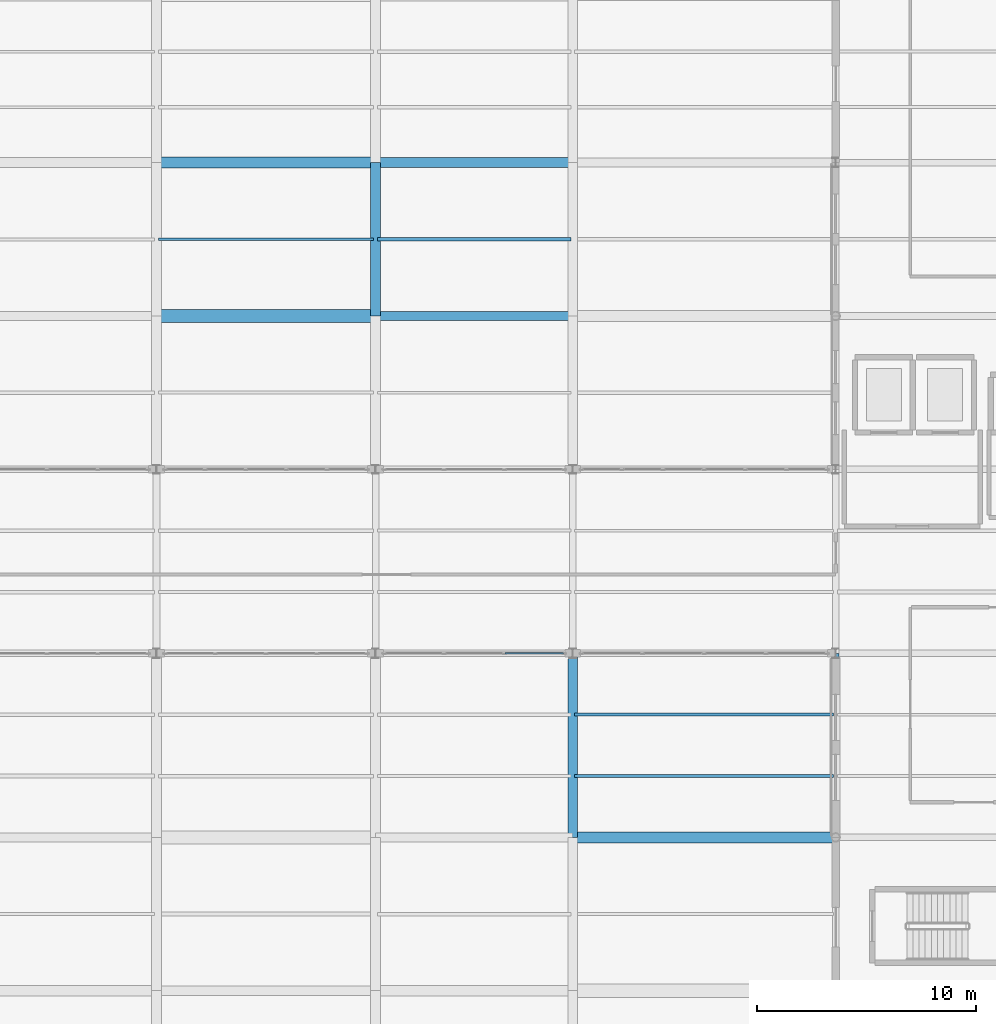
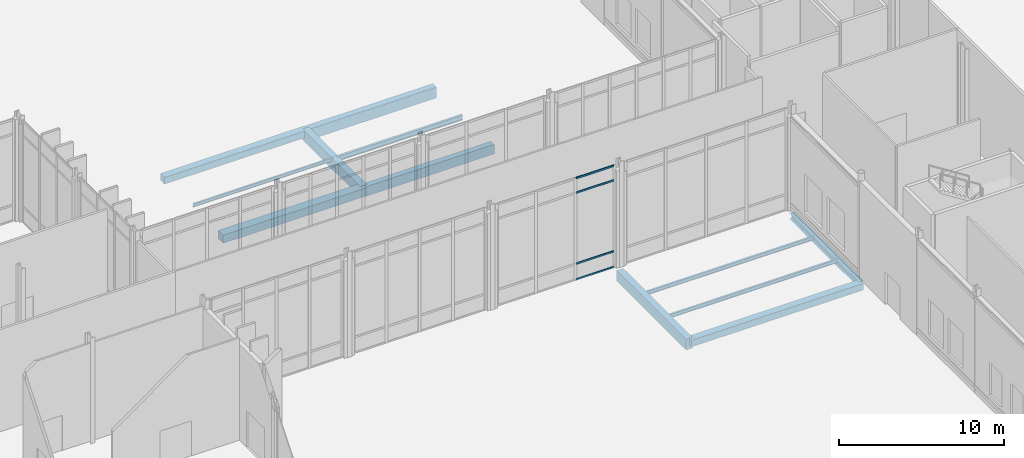
# One storey, part 107 of 176: 12 beams, 4 members, 1 element without a shape of its own.
"""IFC4 building model written with IfcOpenShell, lengths in metres."""

from ifc_helpers import new_model, si_unit, direction, frame, origin, origin_2d, place, context, subcontext, project, spatial, rectangle, hollow_rectangle, i_section, extrude, material, layer, layer_set, material_profile, profile_set, type_object, element, aggregate, save


model = new_model("IFC4")

# Units and contexts
model_context = context("Model", 3, precision=1e-05, world=origin(), true_north=direction((0.0, 1.0)))
body_context = subcontext(model_context, "Body", "Model", "MODEL_VIEW")
ifc_project = project(units=[si_unit("LENGTHUNIT", "METRE"), si_unit("AREAUNIT", "SQUARE_METRE"), si_unit("VOLUMEUNIT", "CUBIC_METRE"), si_unit("PLANEANGLEUNIT", "RADIAN"), si_unit("MASSUNIT", "GRAM", prefix="KILO")], contexts=[model_context])

# Site, building, storey
site_placement = place(None, origin())
site = spatial("IfcSite", under=ifc_project, at=site_placement, CompositionType="ELEMENT")
building_placement = place(site_placement, origin())
building = spatial("IfcBuilding", under=site, at=building_placement, Name="Vekula Escarpment Museum", CompositionType="ELEMENT")
storey_placement = place(building_placement, origin())
storey = spatial("IfcBuildingStorey", under=building, at=storey_placement, Name="L01", CompositionType="ELEMENT", Elevation=0.0)

# Beams
ifc_material_1 = material(Name="Steel S355", Category="steel")
ifc_material_profile_1 = material_profile(ifc_material_1, i_section(OverallWidth=0.1201171875, OverallDepth=0.239990234375, WebThickness=0.006103515625, FlangeThickness=0.009765625, FilletRadius=0.014892578125, at=origin_2d()), Name="IPE 240")
ifc_profile_set_1 = profile_set([ifc_material_profile_1], Name="Steel S355")
beam_type_1 = type_object("IfcBeamType", Name="BM-JST-IPE240", PredefinedType="JOIST", material=ifc_profile_set_1)
beam_1_placement = place(storey_placement, frame((136.090087890625, 86.89990234375, -0.419921875), z_axis=(1.0, 0.0, 0.0), x_axis=(0.0, 1.0, 0.0)))
element("IfcBeam", 1, at=beam_1_placement, inside=storey, type_object=beam_type_1, Name="Secondary Joist L01 0462", PredefinedType="JOIST", context=body_context, shape_type="SweptSolid", body=[
    extrude(i_section(OverallWidth=0.1201171875, OverallDepth=0.239990234375, WebThickness=0.006103515625, FlangeThickness=0.009765625, FilletRadius=0.014892578125, at=origin_2d()), origin(), (0.0, 0.0, 1.0), 9.81982421875),
])
ifc_material_2 = material(Name="Steel S355", Category="steel")
ifc_material_profile_2 = material_profile(ifc_material_2, i_section(OverallWidth=0.135009765625, OverallDepth=0.27001953125, WebThickness=0.006591796875, FlangeThickness=0.01025390625, FilletRadius=0.014892578125, at=origin_2d()), Name="IPE 270")
ifc_profile_set_2 = profile_set([ifc_material_profile_2], Name="Steel S355")
beam_type_2 = type_object("IfcBeamType", Name="BM-JST-IPE270", PredefinedType="JOIST", material=ifc_profile_set_2)
for number, where, z_axis, x_axis, name in (
    (2, (155.090087890625, 62.39990234375, -0.43505859375), (1.0, 0.0, 0.0), (0.0, 1.0, 0.0), "Secondary Joist L01 0521"),
    (3, (155.090087890625, 65.199951171875, -0.43505859375), (1.0, 0.0, 0.0), (0.0, 1.0, 0.0), "Secondary Joist L01 0522"),
):
    element("IfcBeam", number, at=place(storey_placement, frame(where, z_axis=z_axis, x_axis=x_axis)), inside=storey, type_object=beam_type_2, Name=name, PredefinedType="JOIST", context=body_context, shape_type="SweptSolid", body=[
        extrude(i_section(OverallWidth=0.135009765625, OverallDepth=0.27001953125, WebThickness=0.006591796875, FlangeThickness=0.01025390625, FilletRadius=0.014892578125, at=origin_2d()), origin(), (0.0, 0.0, 1.0), 11.81982421875),
    ])
ifc_material_3 = material(Name="Steel S355", Category="steel")
ifc_material_profile_3 = material_profile(ifc_material_3, i_section(OverallWidth=0.169921875, OverallDepth=0.360107421875, WebThickness=0.008056640625, FlangeThickness=0.0126953125, FilletRadius=0.01806640625, at=origin_2d()), Name="IPE 360")
ifc_profile_set_3 = profile_set([ifc_material_profile_3], Name="Steel S355")
beam_type_3 = type_object("IfcBeamType", Name="BM-JST-IPE360", PredefinedType="JOIST", material=ifc_profile_set_3)
beam_2_placement = place(storey_placement, frame((146.090087890625, 86.89990234375, -0.47998046875), z_axis=(1.0, 0.0, 0.0), x_axis=(0.0, 1.0, 0.0)))
element("IfcBeam", 4, at=beam_2_placement, inside=storey, type_object=beam_type_3, Name="Secondary Joist L01 0494", PredefinedType="JOIST", context=body_context, shape_type="SweptSolid", body=[
    extrude(i_section(OverallWidth=0.169921875, OverallDepth=0.360107421875, WebThickness=0.008056640625, FlangeThickness=0.0126953125, FilletRadius=0.01806640625, at=origin_2d()), origin(), (0.0, 0.0, 1.0), 8.81982421875),
])
ifc_material_4 = material(Name="Concrete C35/45", Category="concrete")
ifc_material_profile_4 = material_profile(ifc_material_4, rectangle(XDim=0.449951171875, YDim=0.800048828125, at=origin_2d()), Name="RC 450x800")
ifc_profile_set_4 = profile_set([ifc_material_profile_4], Name="Concrete C35/45")
beam_type_4 = type_object("IfcBeamType", Name="BM-PLINTH-RC", PredefinedType="BEAM", material=ifc_profile_set_4)
beam_3_placement = place(storey_placement, frame((146.0, 90.39990234375, -0.699951171875), z_axis=(1.0, 0.0, 0.0), x_axis=(0.0, 1.0, 0.0)))
element("IfcBeam", 5, at=beam_3_placement, inside=storey, type_object=beam_type_4, Name="Beam X L01 0266", PredefinedType="BEAM", context=body_context, shape_type="SweptSolid", body=[
    extrude(rectangle(XDim=0.449951171875, YDim=0.800048828125, at=origin_2d()), origin(), (0.0, 0.0, 1.0), 9.0),
])
beam_4_placement = place(storey_placement, frame((146.0, 83.39990234375, -0.699951171875), z_axis=(0.0, 1.0, 0.0), x_axis=(-1.0, 0.0, 0.0)))
element("IfcBeam", 6, at=beam_4_placement, inside=storey, type_object=beam_type_4, Name="Beam Y L01 0698", PredefinedType="BEAM", context=body_context, shape_type="SweptSolid", body=[
    extrude(rectangle(XDim=0.449951171875, YDim=0.800048828125, at=origin_2d()), origin(), (0.0, 0.0, 1.0), 7.0),
])
beam_5_placement = place(storey_placement, frame((155.0, 59.60009765625, -0.699951171875), z_axis=(0.0, 1.0, 0.0), x_axis=(-1.0, 0.0, 0.0)))
element("IfcBeam", 7, at=beam_5_placement, inside=storey, type_object=beam_type_4, Name="Beam Y L01 0714", PredefinedType="BEAM", context=body_context, shape_type="SweptSolid", body=[
    extrude(rectangle(XDim=0.449951171875, YDim=0.800048828125, at=origin_2d()), origin(), (0.0, 0.0, 1.0), 8.39990234375),
])
ifc_material_5 = material(Name="Concrete C35/45", Category="concrete")
ifc_material_profile_5 = material_profile(ifc_material_5, rectangle(XDim=0.39990234375, YDim=0.699951171875, at=origin_2d()), Name="RC 400x700")
ifc_profile_set_5 = profile_set([ifc_material_profile_5], Name="Concrete C35/45")
beam_type_5 = type_object("IfcBeamType", Name="BM-PLINTH-RC2", PredefinedType="BEAM", material=ifc_profile_set_5)
beam_6_placement = place(storey_placement, frame((146.0, 83.39990234375, -0.64990234375), z_axis=(1.0, 0.0, 0.0), x_axis=(0.0, 1.0, 0.0)))
element("IfcBeam", 8, at=beam_6_placement, inside=storey, type_object=beam_type_5, Name="Beam X L01 0247", PredefinedType="BEAM", context=body_context, shape_type="SweptSolid", body=[
    extrude(rectangle(XDim=0.39990234375, YDim=0.699951171875, at=origin_2d()), origin(), (0.0, 0.0, 1.0), 9.0),
])
ifc_material_6 = material(Name="Concrete C35/45", Category="concrete")
ifc_material_profile_6 = material_profile(ifc_material_6, rectangle(XDim=0.5, YDim=0.5, at=origin_2d()), Name="RC 500x500")
ifc_profile_set_6 = profile_set([ifc_material_profile_6], Name="Concrete C35/45")
beam_type_6 = type_object("IfcBeamType", Name="BM-PLINTH-RC3", PredefinedType="BEAM", material=ifc_profile_set_6)
beam_7_placement = place(storey_placement, frame((155.0, 59.60009765625, -0.550048828125), z_axis=(1.0, 0.0, 0.0), x_axis=(0.0, 1.0, 0.0)))
element("IfcBeam", 9, at=beam_7_placement, inside=storey, type_object=beam_type_6, Name="Beam X L01 0179", PredefinedType="BEAM", context=body_context, shape_type="SweptSolid", body=[
    extrude(rectangle(XDim=0.5, YDim=0.5, at=origin_2d()), origin(), (0.0, 0.0, 1.0), 12.0),
])
beam_8_placement = place(storey_placement, frame((136.0, 90.39990234375, -0.550048828125), z_axis=(1.0, 0.0, 0.0), x_axis=(0.0, 1.0, 0.0)))
element("IfcBeam", 10, at=beam_8_placement, inside=storey, type_object=beam_type_6, Name="Beam X L01 0265", PredefinedType="BEAM", context=body_context, shape_type="SweptSolid", body=[
    extrude(rectangle(XDim=0.5, YDim=0.5, at=origin_2d()), origin(), (0.0, 0.0, 1.0), 10.0),
])
ifc_material_7 = material(Name="Concrete C35/45", Category="concrete")
ifc_material_profile_7 = material_profile(ifc_material_7, rectangle(XDim=0.60009765625, YDim=0.60009765625, at=origin_2d()), Name="RC 600x600")
ifc_profile_set_7 = profile_set([ifc_material_profile_7], Name="Concrete C35/45")
beam_type_7 = type_object("IfcBeamType", Name="BM-PLINTH-RC4", PredefinedType="BEAM", material=ifc_profile_set_7)
beam_9_placement = place(storey_placement, frame((136.0, 83.39990234375, -0.60009765625), z_axis=(1.0, 0.0, 0.0), x_axis=(0.0, 1.0, 0.0)))
element("IfcBeam", 11, at=beam_9_placement, inside=storey, type_object=beam_type_7, Name="Beam X L01 0246", PredefinedType="BEAM", context=body_context, shape_type="SweptSolid", body=[
    extrude(rectangle(XDim=0.60009765625, YDim=0.60009765625, at=origin_2d()), origin(), (0.0, 0.0, 1.0), 10.0),
])
ifc_material_8 = material(Name="Steel S355", Category="steel")
ifc_material_profile_8 = material_profile(ifc_material_8, i_section(OverallWidth=0.300048828125, OverallDepth=0.43994140625, WebThickness=0.011474609375, FlangeThickness=0.02099609375, FilletRadius=0.027099609375, at=origin_2d()), Name="HEA 450")
ifc_profile_set_8 = profile_set([ifc_material_profile_8], Name="Steel S355")
beam_type_8 = type_object("IfcBeamType", Name="BM-SPAN-HEA450", PredefinedType="SPANDREL", material=ifc_profile_set_8)
beam_10_placement = place(storey_placement, frame((167.0, 59.60009765625, -0.52001953125), z_axis=(0.0, 1.0, 0.0), x_axis=(-1.0, 0.0, 0.0)))
element("IfcBeam", 12, at=beam_10_placement, inside=storey, type_object=beam_type_8, Name="Beam Y L01 0733", PredefinedType="SPANDREL", context=body_context, shape_type="SweptSolid", body=[
    extrude(i_section(OverallWidth=0.300048828125, OverallDepth=0.43994140625, WebThickness=0.011474609375, FlangeThickness=0.02099609375, FilletRadius=0.027099609375, at=origin_2d()), origin(), (0.0, 0.0, 1.0), 8.39990234375),
])

# Curtain wall, members
ifc_material_9 = material(Name="Aluminium thermally broken framing", Category="aluminium")
ifc_layer = layer(ifc_material_9, 0.199951171875)
ifc_layer_set = layer_set([ifc_layer], Name="Aluminium thermally broken framing")
curtain_wall_type = type_object("IfcCurtainWallType", Name="CW-SYS-04", PredefinedType="NOTDEFINED", material=ifc_layer_set)
curtain_wall_placement = place(storey_placement, origin())
curtain_wall = element("IfcCurtainWall", 13, at=curtain_wall_placement, inside=storey, type_object=curtain_wall_type, Name="Curtain Wall CW-L01-014", PredefinedType="NOTDEFINED")
ifc_material_10 = material(Name="Aluminium anodized transom", Category="aluminium")
ifc_material_profile_9 = material_profile(ifc_material_10, hollow_rectangle(XDim=0.06494140625, YDim=0.139892578125, WallThickness=0.00390625, InnerFilletRadius=0.00390625, OuterFilletRadius=0.008056640625, at=origin_2d()), Name="ALU 140x65x4")
ifc_profile_set_9 = profile_set([ifc_material_profile_9], Name="Aluminium anodized transom")
member_type = type_object("IfcMemberType", Name="CW-TRN-140", PredefinedType="USERDEFINED", material=ifc_profile_set_9)
member_1_placement = place(storey_placement, frame((151.91259765625, 68.0, 0.032470703125), z_axis=(1.0, 0.0, 0.0), x_axis=(0.0, 1.0, 0.0)))
member_1 = element("IfcMember", 14, at=member_1_placement, type_object=member_type, Name="CW-04 transom 3.1", ObjectType="TRANSOM", PredefinedType="USERDEFINED", context=body_context, shape_type="SweptSolid", body=[
    extrude(hollow_rectangle(XDim=0.06494140625, YDim=0.139892578125, WallThickness=0.00390625, InnerFilletRadius=0.00390625, OuterFilletRadius=0.008056640625, at=origin_2d()), origin(), (0.0, 0.0, 1.0), 2.662353515625),
])
member_2_placement = place(storey_placement, frame((151.91259765625, 68.0, 1.199951171875), z_axis=(1.0, 0.0, 0.0), x_axis=(0.0, 1.0, 0.0)))
member_2 = element("IfcMember", 15, at=member_2_placement, type_object=member_type, Name="CW-04 transom 3.2", ObjectType="TRANSOM", PredefinedType="USERDEFINED", context=body_context, shape_type="SweptSolid", body=[
    extrude(hollow_rectangle(XDim=0.06494140625, YDim=0.139892578125, WallThickness=0.00390625, InnerFilletRadius=0.00390625, OuterFilletRadius=0.008056640625, at=origin_2d()), origin(), (0.0, 0.0, 1.0), 2.662353515625),
])
member_3_placement = place(storey_placement, frame((151.91259765625, 68.0, 6.43994140625), z_axis=(1.0, 0.0, 0.0), x_axis=(0.0, 1.0, 0.0)))
member_3 = element("IfcMember", 16, at=member_3_placement, type_object=member_type, Name="CW-04 transom 3.3", ObjectType="TRANSOM", PredefinedType="USERDEFINED", context=body_context, shape_type="SweptSolid", body=[
    extrude(hollow_rectangle(XDim=0.06494140625, YDim=0.139892578125, WallThickness=0.00390625, InnerFilletRadius=0.00390625, OuterFilletRadius=0.008056640625, at=origin_2d()), origin(), (0.0, 0.0, 1.0), 2.662353515625),
])
member_4_placement = place(storey_placement, frame((151.91259765625, 68.0, 7.507568359375), z_axis=(1.0, 0.0, 0.0), x_axis=(0.0, 1.0, 0.0)))
member_4 = element("IfcMember", 17, at=member_4_placement, type_object=member_type, Name="CW-04 transom 3.4", ObjectType="TRANSOM", PredefinedType="USERDEFINED", context=body_context, shape_type="SweptSolid", body=[
    extrude(hollow_rectangle(XDim=0.06494140625, YDim=0.139892578125, WallThickness=0.00390625, InnerFilletRadius=0.00390625, OuterFilletRadius=0.008056640625, at=origin_2d()), origin(), (0.0, 0.0, 1.0), 2.662353515625),
])
aggregate(curtain_wall, [member_1, member_2, member_3, member_4])

save(model, "model.ifc")
